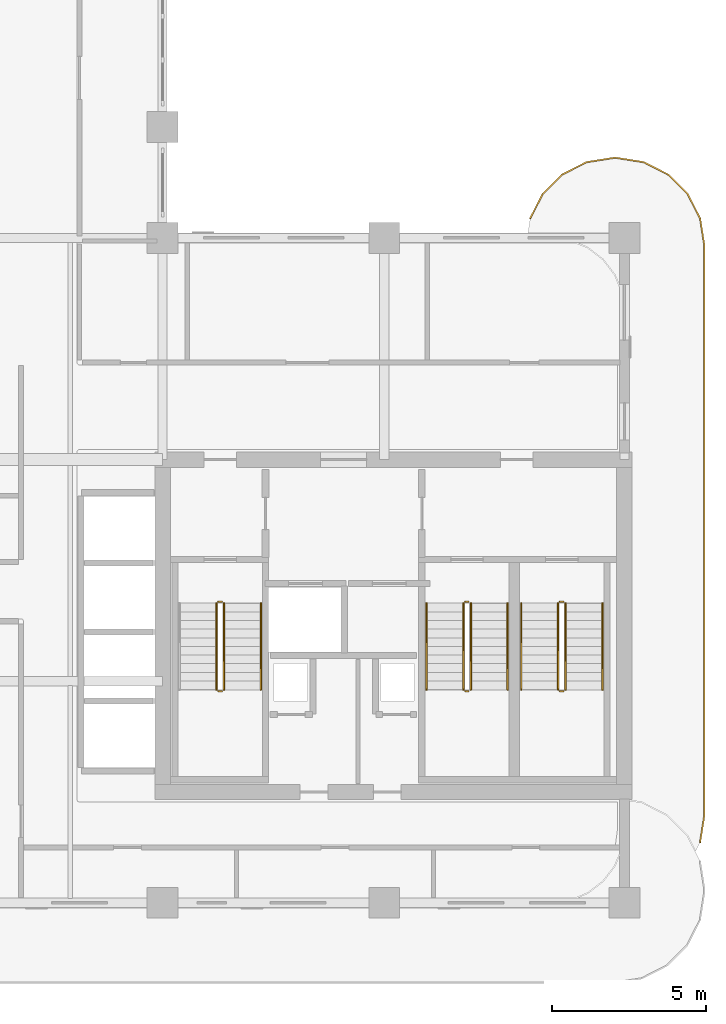
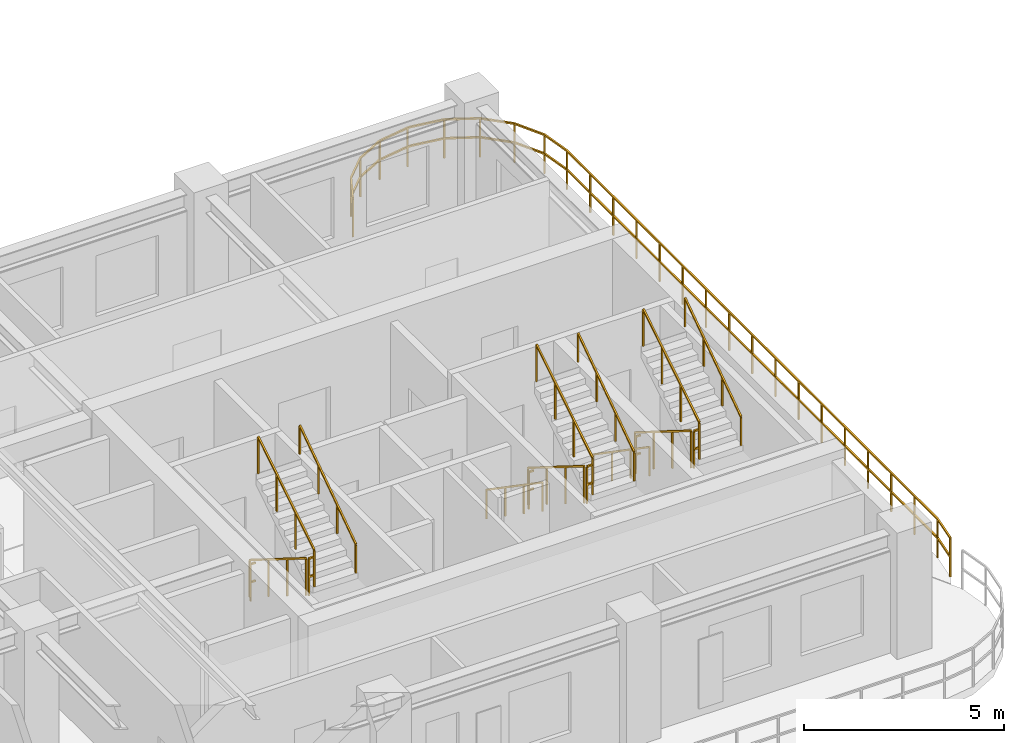
# One storey, part 19 of 20: 18 railings.
"""IFC4 building model written with IfcOpenShell, lengths in metres."""

from ifc_helpers import new_model, si_unit, derived_unit, direction, frame, origin, origin_2d, place, context, subcontext, project, spatial, rectangle, extrude, material, type_object, element, save


model = new_model("IFC4")

# Units and contexts
model_context = context("Model", 3, precision=1e-05, world=origin(), true_north=direction((0.0, 1.0)))
body_context = subcontext(model_context, "Body", "Model", "MODEL_VIEW")
ifc_project = project(units=[si_unit("LENGTHUNIT", "METRE"), si_unit("AREAUNIT", "SQUARE_METRE"), si_unit("VOLUMEUNIT", "CUBIC_METRE"), si_unit("PLANEANGLEUNIT", "RADIAN"), si_unit("MASSUNIT", "GRAM", prefix="KILO"), si_unit("THERMODYNAMICTEMPERATUREUNIT", "KELVIN"), si_unit("POWERUNIT", "WATT"), derived_unit("THERMALTRANSMITTANCEUNIT", [(si_unit("POWERUNIT", "WATT"), 1), (si_unit("AREAUNIT", "SQUARE_METRE"), -1), (si_unit("THERMODYNAMICTEMPERATUREUNIT", "KELVIN"), -1)])], contexts=[model_context])

# Site, building, storey
site_placement = place(None, origin())
site = spatial("IfcSite", under=ifc_project, at=site_placement, CompositionType="ELEMENT")
building_placement = place(site_placement, origin())
building = spatial("IfcBuilding", under=site, at=building_placement, Name="Zahravan Archway Hotel and Residences", CompositionType="ELEMENT")
storey_placement = place(building_placement, frame((0.0, 0.0, 161.85009765625)))
storey = spatial("IfcBuildingStorey", under=building, at=storey_placement, Name="L40", CompositionType="ELEMENT", Elevation=161.85009765625)

# Railings
ifc_material_1 = material(Name="Bronze & Laminated Glass Balustrade", Category="glass")
railing_type_1 = type_object("IfcRailingType", Name="RL-BAL-1200", PredefinedType="BALUSTRADE", material=ifc_material_1)
railing_1_placement = place(storey_placement, frame((46.739501953125, 22.230712890625, 0.0)))
element("IfcRailing", 1, at=railing_1_placement, inside=storey, type_object=railing_type_1, Name="L40 Balustrade RL-SLB-BAL-L40-EA-1", PredefinedType="BALUSTRADE", context=body_context, shape_type="SweptSolid", body=[
    extrude(rectangle(XDim=0.048095703125, YDim=0.048095703125, at=origin_2d()), frame((0.0, 0.0, 1.17578125), z_axis=(0.453991409995, 0.891006060389, 0.0), x_axis=(-0.891006060389, 0.453991409995, 0.0)), (0.0, 0.0, 1.0), 0.8916015625),
    extrude(rectangle(XDim=0.048095703125, YDim=0.048095703125, at=origin_2d()), frame((0.0, 0.0, 0.60009765625), z_axis=(0.453991409995, 0.891006060389, 0.0), x_axis=(-0.891006060389, 0.453991409995, 0.0)), (0.0, 0.0, 1.0), 0.8916015625),
    extrude(rectangle(XDim=0.048095703125, YDim=0.048095703125, at=origin_2d()), frame((0.40478515625, 0.79443359375, 1.17578125), z_axis=(0.707106781187, 0.707106781187, 0.0), x_axis=(-0.707106781187, 0.707106781187, 0.0)), (0.0, 0.0, 1.0), 0.891845703125),
    extrude(rectangle(XDim=0.048095703125, YDim=0.048095703125, at=origin_2d()), frame((0.40478515625, 0.79443359375, 0.60009765625), z_axis=(0.707106781187, 0.707106781187, 0.0), x_axis=(-0.707106781187, 0.707106781187, 0.0)), (0.0, 0.0, 1.0), 0.891845703125),
    extrude(rectangle(XDim=0.048095703125, YDim=0.048095703125, at=origin_2d()), frame((1.035400390625, 1.425048828125, 1.17578125), z_axis=(0.891006060389, 0.453991409995, 0.0), x_axis=(-0.453991409995, 0.891006060389, 0.0)), (0.0, 0.0, 1.0), 0.8916015625),
    extrude(rectangle(XDim=0.048095703125, YDim=0.048095703125, at=origin_2d()), frame((1.035400390625, 1.425048828125, 0.60009765625), z_axis=(0.891006060389, 0.453991409995, 0.0), x_axis=(-0.453991409995, 0.891006060389, 0.0)), (0.0, 0.0, 1.0), 0.8916015625),
    extrude(rectangle(XDim=0.048095703125, YDim=0.048095703125, at=origin_2d()), frame((1.829833984375, 1.829833984375, 1.17578125), z_axis=(0.987700720307, 0.156356282588, 0.0), x_axis=(-0.156356282588, 0.987700720307, 0.0)), (0.0, 0.0, 1.0), 0.8916015625),
    extrude(rectangle(XDim=0.048095703125, YDim=0.048095703125, at=origin_2d()), frame((1.829833984375, 1.829833984375, 0.60009765625), z_axis=(0.987700720307, 0.156356282588, 0.0), x_axis=(-0.156356282588, 0.987700720307, 0.0)), (0.0, 0.0, 1.0), 0.8916015625),
    extrude(rectangle(XDim=0.048095703125, YDim=0.048095703125, at=origin_2d()), frame((2.71044921875, 1.96923828125, 1.17578125), z_axis=(1.0, 0.0, 0.0), x_axis=(0.0, 1.0, 0.0)), (0.0, 0.0, 1.0), 0.10009765625),
    extrude(rectangle(XDim=0.048095703125, YDim=0.048095703125, at=origin_2d()), frame((2.71044921875, 1.96923828125, 0.60009765625), z_axis=(1.0, 0.0, 0.0), x_axis=(0.0, 1.0, 0.0)), (0.0, 0.0, 1.0), 0.10009765625),
    extrude(rectangle(XDim=0.048095703125, YDim=0.048095703125, at=origin_2d()), frame((2.810546875, 1.96923828125, 1.17578125), z_axis=(0.987700720307, -0.156356282588, 0.0), x_axis=(0.156356282588, 0.987700720307, 0.0)), (0.0, 0.0, 1.0), 0.8916015625),
    extrude(rectangle(XDim=0.048095703125, YDim=0.048095703125, at=origin_2d()), frame((2.810546875, 1.96923828125, 0.60009765625), z_axis=(0.987700720307, -0.156356282588, 0.0), x_axis=(0.156356282588, 0.987700720307, 0.0)), (0.0, 0.0, 1.0), 0.8916015625),
    extrude(rectangle(XDim=0.048095703125, YDim=0.048095703125, at=origin_2d()), frame((3.691162109375, 1.829833984375, 1.17578125), z_axis=(0.891006060389, -0.453991409995, 0.0), x_axis=(0.453991409995, 0.891006060389, 0.0)), (0.0, 0.0, 1.0), 0.8916015625),
    extrude(rectangle(XDim=0.048095703125, YDim=0.048095703125, at=origin_2d()), frame((3.691162109375, 1.829833984375, 0.60009765625), z_axis=(0.891006060389, -0.453991409995, 0.0), x_axis=(0.453991409995, 0.891006060389, 0.0)), (0.0, 0.0, 1.0), 0.8916015625),
    extrude(rectangle(XDim=0.048095703125, YDim=0.048095703125, at=origin_2d()), frame((4.485595703125, 1.425048828125, 1.17578125), z_axis=(0.707106781187, -0.707106781187, 0.0), x_axis=(0.707106781187, 0.707106781187, 0.0)), (0.0, 0.0, 1.0), 0.891845703125),
    extrude(rectangle(XDim=0.048095703125, YDim=0.048095703125, at=origin_2d()), frame((4.485595703125, 1.425048828125, 0.60009765625), z_axis=(0.707106781187, -0.707106781187, 0.0), x_axis=(0.707106781187, 0.707106781187, 0.0)), (0.0, 0.0, 1.0), 0.891845703125),
    extrude(rectangle(XDim=0.048095703125, YDim=0.048095703125, at=origin_2d()), frame((5.1162109375, 0.79443359375, 1.17578125), z_axis=(0.453991409995, -0.891006060389, 0.0), x_axis=(0.891006060389, 0.453991409995, 0.0)), (0.0, 0.0, 1.0), 0.8916015625),
    extrude(rectangle(XDim=0.048095703125, YDim=0.048095703125, at=origin_2d()), frame((5.1162109375, 0.79443359375, 0.60009765625), z_axis=(0.453991409995, -0.891006060389, 0.0), x_axis=(0.891006060389, 0.453991409995, 0.0)), (0.0, 0.0, 1.0), 0.8916015625),
    extrude(rectangle(XDim=0.048095703125, YDim=0.048095703125, at=origin_2d()), frame((5.52099609375, 0.0, 1.17578125), z_axis=(0.156356282588, -0.987700720307, 0.0), x_axis=(0.987700720307, 0.156356282588, 0.0)), (0.0, 0.0, 1.0), 0.8916015625),
    extrude(rectangle(XDim=0.048095703125, YDim=0.048095703125, at=origin_2d()), frame((5.52099609375, 0.0, 0.60009765625), z_axis=(0.156356282588, -0.987700720307, 0.0), x_axis=(0.987700720307, 0.156356282588, 0.0)), (0.0, 0.0, 1.0), 0.8916015625),
    extrude(rectangle(XDim=0.048095703125, YDim=0.048095703125, at=origin_2d()), frame((5.660400390625, -0.880615234375, 1.17578125), z_axis=(0.0, -1.0, 0.0), x_axis=(1.0, 0.0, 0.0)), (0.0, 0.0, 1.0), 18.5),
    extrude(rectangle(XDim=0.048095703125, YDim=0.048095703125, at=origin_2d()), frame((5.660400390625, -0.880615234375, 0.60009765625), z_axis=(0.0, -1.0, 0.0), x_axis=(1.0, 0.0, 0.0)), (0.0, 0.0, 1.0), 18.5),
    extrude(rectangle(XDim=0.048095703125, YDim=0.048095703125, at=origin_2d()), frame((5.660400390625, -19.380615234375, 1.17578125), z_axis=(-0.156314005608, -0.987707411965, 0.0), x_axis=(0.987707411965, -0.156314005608, 0.0)), (0.0, 0.0, 1.0), 0.891845703125),
    extrude(rectangle(XDim=0.048095703125, YDim=0.048095703125, at=origin_2d()), frame((5.660400390625, -19.380615234375, 0.60009765625), z_axis=(-0.156314005608, -0.987707411965, 0.0), x_axis=(0.987707411965, -0.156314005608, 0.0)), (0.0, 0.0, 1.0), 0.891845703125),
    extrude(rectangle(XDim=0.0419921875, YDim=0.0419921875, at=origin_2d()), origin(), (0.0, 0.0, 1.0), 1.15185546875),
    extrude(rectangle(XDim=0.0419921875, YDim=0.0419921875, at=origin_2d()), frame((0.40478515625, 0.79443359375, 0.0)), (0.0, 0.0, 1.0), 1.15185546875),
    extrude(rectangle(XDim=0.0419921875, YDim=0.0419921875, at=origin_2d()), frame((1.035400390625, 1.425048828125, 0.0)), (0.0, 0.0, 1.0), 1.15185546875),
    extrude(rectangle(XDim=0.0419921875, YDim=0.0419921875, at=origin_2d()), frame((1.829833984375, 1.829833984375, 0.0)), (0.0, 0.0, 1.0), 1.15185546875),
    extrude(rectangle(XDim=0.0419921875, YDim=0.0419921875, at=origin_2d()), frame((2.71044921875, 1.96923828125, 0.0)), (0.0, 0.0, 1.0), 1.15185546875),
    extrude(rectangle(XDim=0.0419921875, YDim=0.0419921875, at=origin_2d()), frame((3.691162109375, 1.829833984375, 0.0)), (0.0, 0.0, 1.0), 1.15185546875),
    extrude(rectangle(XDim=0.0419921875, YDim=0.0419921875, at=origin_2d()), frame((4.485595703125, 1.425048828125, 0.0)), (0.0, 0.0, 1.0), 1.15185546875),
    extrude(rectangle(XDim=0.0419921875, YDim=0.0419921875, at=origin_2d()), frame((5.1162109375, 0.79443359375, 0.0)), (0.0, 0.0, 1.0), 1.15185546875),
    extrude(rectangle(XDim=0.0419921875, YDim=0.0419921875, at=origin_2d()), frame((5.52099609375, 0.0, 0.0)), (0.0, 0.0, 1.0), 1.15185546875),
    extrude(rectangle(XDim=0.0419921875, YDim=0.0419921875, at=origin_2d()), frame((5.660400390625, -0.880615234375, 0.0)), (0.0, 0.0, 1.0), 1.15185546875),
    extrude(rectangle(XDim=0.0419921875, YDim=0.0419921875, at=origin_2d()), frame((5.660400390625, -2.036865234375, 0.0)), (0.0, 0.0, 1.0), 1.15185546875),
    extrude(rectangle(XDim=0.0419921875, YDim=0.0419921875, at=origin_2d()), frame((5.660400390625, -3.193115234375, 0.0)), (0.0, 0.0, 1.0), 1.15185546875),
    extrude(rectangle(XDim=0.0419921875, YDim=0.0419921875, at=origin_2d()), frame((5.660400390625, -4.349365234375, 0.0)), (0.0, 0.0, 1.0), 1.15185546875),
    extrude(rectangle(XDim=0.0419921875, YDim=0.0419921875, at=origin_2d()), frame((5.660400390625, -5.505615234375, 0.0)), (0.0, 0.0, 1.0), 1.15185546875),
    extrude(rectangle(XDim=0.0419921875, YDim=0.0419921875, at=origin_2d()), frame((5.660400390625, -6.661865234375, 0.0)), (0.0, 0.0, 1.0), 1.15185546875),
    extrude(rectangle(XDim=0.0419921875, YDim=0.0419921875, at=origin_2d()), frame((5.660400390625, -7.818115234375, 0.0)), (0.0, 0.0, 1.0), 1.15185546875),
    extrude(rectangle(XDim=0.0419921875, YDim=0.0419921875, at=origin_2d()), frame((5.660400390625, -8.974365234375, 0.0)), (0.0, 0.0, 1.0), 1.15185546875),
    extrude(rectangle(XDim=0.0419921875, YDim=0.0419921875, at=origin_2d()), frame((5.660400390625, -10.130615234375, 0.0)), (0.0, 0.0, 1.0), 1.15185546875),
    extrude(rectangle(XDim=0.0419921875, YDim=0.0419921875, at=origin_2d()), frame((5.660400390625, -11.286865234375, 0.0)), (0.0, 0.0, 1.0), 1.15185546875),
    extrude(rectangle(XDim=0.0419921875, YDim=0.0419921875, at=origin_2d()), frame((5.660400390625, -12.443115234375, 0.0)), (0.0, 0.0, 1.0), 1.15185546875),
    extrude(rectangle(XDim=0.0419921875, YDim=0.0419921875, at=origin_2d()), frame((5.660400390625, -13.599365234375, 0.0)), (0.0, 0.0, 1.0), 1.15185546875),
    extrude(rectangle(XDim=0.0419921875, YDim=0.0419921875, at=origin_2d()), frame((5.660400390625, -14.755615234375, 0.0)), (0.0, 0.0, 1.0), 1.15185546875),
    extrude(rectangle(XDim=0.0419921875, YDim=0.0419921875, at=origin_2d()), frame((5.660400390625, -15.911865234375, 0.0)), (0.0, 0.0, 1.0), 1.15185546875),
    extrude(rectangle(XDim=0.0419921875, YDim=0.0419921875, at=origin_2d()), frame((5.660400390625, -17.068115234375, 0.0)), (0.0, 0.0, 1.0), 1.15185546875),
    extrude(rectangle(XDim=0.0419921875, YDim=0.0419921875, at=origin_2d()), frame((5.660400390625, -18.224365234375, 0.0)), (0.0, 0.0, 1.0), 1.15185546875),
    extrude(rectangle(XDim=0.0419921875, YDim=0.0419921875, at=origin_2d()), frame((5.660400390625, -19.380615234375, 0.0)), (0.0, 0.0, 1.0), 1.15185546875),
    extrude(rectangle(XDim=0.0419921875, YDim=0.0419921875, at=origin_2d()), frame((5.52099609375, -20.261474609375, 0.0)), (0.0, 0.0, 1.0), 1.15185546875),
])
ifc_material_2 = material(Name="Painted Tubular Steel", Category="steel")
railing_type_2 = type_object("IfcRailingType", Name="RL-STG-1150", PredefinedType="GUARDRAIL", material=ifc_material_2)
railing_2_placement = place(storey_placement, frame((36.550048828125, 9.72998046875, 0.1748046875)))
element("IfcRailing", 2, at=railing_2_placement, inside=storey, type_object=railing_type_2, Name="L40 ST-A1 stair guard 1", PredefinedType="GUARDRAIL", context=body_context, shape_type="SweptSolid", body=[
    extrude(rectangle(XDim=0.048095703125, YDim=0.048095703125, at=origin_2d()), frame((0.0, 0.0, 1.1259765625), z_axis=(0.0, -0.848002457836, 0.529992293815), x_axis=(1.0, 0.0, 0.0)), (0.0, 0.0, 1.0), 3.302001953125),
    extrude(rectangle(XDim=0.0419921875, YDim=0.0419921875, at=origin_2d()), origin(), (0.0, 0.0, 1.0), 1.101806640625),
    extrude(rectangle(XDim=0.0419921875, YDim=0.0419921875, at=origin_2d()), frame((0.0, -0.933349609375, 0.583251953125)), (0.0, 0.0, 1.0), 1.101806640625),
    extrude(rectangle(XDim=0.0419921875, YDim=0.0419921875, at=origin_2d()), frame((0.0, -1.86669921875, 1.166748046875)), (0.0, 0.0, 1.0), 1.101806640625),
    extrude(rectangle(XDim=0.0419921875, YDim=0.0419921875, at=origin_2d()), frame((0.0, -2.800048828125, 1.75)), (0.0, 0.0, 1.0), 1.101806640625),
])
railing_3_placement = place(storey_placement, frame((36.60009765625, 6.8798828125, 1.9248046875)))
element("IfcRailing", 3, at=railing_3_placement, inside=storey, type_object=railing_type_2, Name="L40 ST-A1 stair guard 2", PredefinedType="GUARDRAIL", context=body_context, shape_type="SweptSolid", body=[
    extrude(rectangle(XDim=0.048095703125, YDim=0.048095703125, at=origin_2d()), frame((0.0, 0.0, 1.1259765625), z_axis=(1.0, 0.0, 0.0), x_axis=(0.0, 1.0, 0.0)), (0.0, 0.0, 1.0), 0.139892578125),
    extrude(rectangle(XDim=0.048095703125, YDim=0.048095703125, at=origin_2d()), frame((0.0, 0.0, 0.574951171875), z_axis=(1.0, 0.0, 0.0), x_axis=(0.0, 1.0, 0.0)), (0.0, 0.0, 1.0), 0.139892578125),
    extrude(rectangle(XDim=0.0419921875, YDim=0.0419921875, at=origin_2d()), origin(), (0.0, 0.0, 1.0), 1.101806640625),
])
railing_4_placement = place(storey_placement, frame((36.7900390625, 6.929931640625, 2.099853515625)))
element("IfcRailing", 4, at=railing_4_placement, inside=storey, type_object=railing_type_2, Name="L40 ST-A1 stair guard 3", PredefinedType="GUARDRAIL", context=body_context, shape_type="SweptSolid", body=[
    extrude(rectangle(XDim=0.048095703125, YDim=0.048095703125, at=origin_2d()), frame((0.0, 0.0, 1.1259765625), z_axis=(0.0, 0.848002457836, 0.529992293815), x_axis=(-1.0, 0.0, 0.0)), (0.0, 0.0, 1.0), 3.302001953125),
    extrude(rectangle(XDim=0.0419921875, YDim=0.0419921875, at=origin_2d()), origin(), (0.0, 0.0, 1.0), 1.101806640625),
    extrude(rectangle(XDim=0.0419921875, YDim=0.0419921875, at=origin_2d()), frame((0.0, 0.933349609375, 0.583251953125)), (0.0, 0.0, 1.0), 1.101806640625),
    extrude(rectangle(XDim=0.0419921875, YDim=0.0419921875, at=origin_2d()), frame((0.0, 1.86669921875, 1.166748046875)), (0.0, 0.0, 1.0), 1.101806640625),
    extrude(rectangle(XDim=0.0419921875, YDim=0.0419921875, at=origin_2d()), frame((0.0, 2.800048828125, 1.75)), (0.0, 0.0, 1.0), 1.101806640625),
])
railing_5_placement = place(storey_placement, frame((36.60009765625, 9.780029296875, 0.0)))
element("IfcRailing", 5, at=railing_5_placement, inside=storey, type_object=railing_type_2, Name="L40 ST-A1 stair guard 4", PredefinedType="GUARDRAIL", context=body_context, shape_type="SweptSolid", body=[
    extrude(rectangle(XDim=0.048095703125, YDim=0.048095703125, at=origin_2d()), frame((0.0, 0.0, 1.1259765625), z_axis=(1.0, 0.0, 0.0), x_axis=(0.0, 1.0, 0.0)), (0.0, 0.0, 1.0), 0.139892578125),
    extrude(rectangle(XDim=0.048095703125, YDim=0.048095703125, at=origin_2d()), frame((0.0, 0.0, 0.574951171875), z_axis=(1.0, 0.0, 0.0), x_axis=(0.0, 1.0, 0.0)), (0.0, 0.0, 1.0), 0.139892578125),
    extrude(rectangle(XDim=0.0419921875, YDim=0.0419921875, at=origin_2d()), origin(), (0.0, 0.0, 1.0), 1.101806640625),
])
railing_6_placement = place(storey_placement, frame((44.570068359375, 9.72998046875, 0.1748046875)))
element("IfcRailing", 6, at=railing_6_placement, inside=storey, type_object=railing_type_2, Name="L40 ST-A2 stair guard 1", PredefinedType="GUARDRAIL", context=body_context, shape_type="SweptSolid", body=[
    extrude(rectangle(XDim=0.048095703125, YDim=0.048095703125, at=origin_2d()), frame((0.0, 0.0, 1.1259765625), z_axis=(0.0, -0.848002457836, 0.529992293815), x_axis=(1.0, 0.0, 0.0)), (0.0, 0.0, 1.0), 3.302001953125),
    extrude(rectangle(XDim=0.0419921875, YDim=0.0419921875, at=origin_2d()), origin(), (0.0, 0.0, 1.0), 1.101806640625),
    extrude(rectangle(XDim=0.0419921875, YDim=0.0419921875, at=origin_2d()), frame((0.0, -0.933349609375, 0.583251953125)), (0.0, 0.0, 1.0), 1.101806640625),
    extrude(rectangle(XDim=0.0419921875, YDim=0.0419921875, at=origin_2d()), frame((0.0, -1.86669921875, 1.166748046875)), (0.0, 0.0, 1.0), 1.101806640625),
    extrude(rectangle(XDim=0.0419921875, YDim=0.0419921875, at=origin_2d()), frame((0.0, -2.800048828125, 1.75)), (0.0, 0.0, 1.0), 1.101806640625),
])
railing_7_placement = place(storey_placement, frame((44.6201171875, 6.8798828125, 1.9248046875)))
element("IfcRailing", 7, at=railing_7_placement, inside=storey, type_object=railing_type_2, Name="L40 ST-A2 stair guard 2", PredefinedType="GUARDRAIL", context=body_context, shape_type="SweptSolid", body=[
    extrude(rectangle(XDim=0.048095703125, YDim=0.048095703125, at=origin_2d()), frame((0.0, 0.0, 1.1259765625), z_axis=(1.0, 0.0, 0.0), x_axis=(0.0, 1.0, 0.0)), (0.0, 0.0, 1.0), 0.139892578125),
    extrude(rectangle(XDim=0.048095703125, YDim=0.048095703125, at=origin_2d()), frame((0.0, 0.0, 0.574951171875), z_axis=(1.0, 0.0, 0.0), x_axis=(0.0, 1.0, 0.0)), (0.0, 0.0, 1.0), 0.139892578125),
    extrude(rectangle(XDim=0.0419921875, YDim=0.0419921875, at=origin_2d()), origin(), (0.0, 0.0, 1.0), 1.101806640625),
])
railing_8_placement = place(storey_placement, frame((44.81005859375, 6.929931640625, 2.099853515625)))
element("IfcRailing", 8, at=railing_8_placement, inside=storey, type_object=railing_type_2, Name="L40 ST-A2 stair guard 3", PredefinedType="GUARDRAIL", context=body_context, shape_type="SweptSolid", body=[
    extrude(rectangle(XDim=0.048095703125, YDim=0.048095703125, at=origin_2d()), frame((0.0, 0.0, 1.1259765625), z_axis=(0.0, 0.848002457836, 0.529992293815), x_axis=(-1.0, 0.0, 0.0)), (0.0, 0.0, 1.0), 3.302001953125),
    extrude(rectangle(XDim=0.0419921875, YDim=0.0419921875, at=origin_2d()), origin(), (0.0, 0.0, 1.0), 1.101806640625),
    extrude(rectangle(XDim=0.0419921875, YDim=0.0419921875, at=origin_2d()), frame((0.0, 0.933349609375, 0.583251953125)), (0.0, 0.0, 1.0), 1.101806640625),
    extrude(rectangle(XDim=0.0419921875, YDim=0.0419921875, at=origin_2d()), frame((0.0, 1.86669921875, 1.166748046875)), (0.0, 0.0, 1.0), 1.101806640625),
    extrude(rectangle(XDim=0.0419921875, YDim=0.0419921875, at=origin_2d()), frame((0.0, 2.800048828125, 1.75)), (0.0, 0.0, 1.0), 1.101806640625),
])
railing_9_placement = place(storey_placement, frame((44.6201171875, 9.780029296875, 0.0)))
element("IfcRailing", 9, at=railing_9_placement, inside=storey, type_object=railing_type_2, Name="L40 ST-A2 stair guard 4", PredefinedType="GUARDRAIL", context=body_context, shape_type="SweptSolid", body=[
    extrude(rectangle(XDim=0.048095703125, YDim=0.048095703125, at=origin_2d()), frame((0.0, 0.0, 1.1259765625), z_axis=(1.0, 0.0, 0.0), x_axis=(0.0, 1.0, 0.0)), (0.0, 0.0, 1.0), 0.139892578125),
    extrude(rectangle(XDim=0.048095703125, YDim=0.048095703125, at=origin_2d()), frame((0.0, 0.0, 0.574951171875), z_axis=(1.0, 0.0, 0.0), x_axis=(0.0, 1.0, 0.0)), (0.0, 0.0, 1.0), 0.139892578125),
    extrude(rectangle(XDim=0.0419921875, YDim=0.0419921875, at=origin_2d()), origin(), (0.0, 0.0, 1.0), 1.101806640625),
])
railing_10_placement = place(storey_placement, frame((47.64990234375, 9.72998046875, 0.1748046875)))
element("IfcRailing", 10, at=railing_10_placement, inside=storey, type_object=railing_type_2, Name="L40 ST-A3 stair guard 1", PredefinedType="GUARDRAIL", context=body_context, shape_type="SweptSolid", body=[
    extrude(rectangle(XDim=0.048095703125, YDim=0.048095703125, at=origin_2d()), frame((0.0, 0.0, 1.1259765625), z_axis=(0.0, -0.848002457836, 0.529992293815), x_axis=(1.0, 0.0, 0.0)), (0.0, 0.0, 1.0), 3.302001953125),
    extrude(rectangle(XDim=0.0419921875, YDim=0.0419921875, at=origin_2d()), origin(), (0.0, 0.0, 1.0), 1.101806640625),
    extrude(rectangle(XDim=0.0419921875, YDim=0.0419921875, at=origin_2d()), frame((0.0, -0.933349609375, 0.583251953125)), (0.0, 0.0, 1.0), 1.101806640625),
    extrude(rectangle(XDim=0.0419921875, YDim=0.0419921875, at=origin_2d()), frame((0.0, -1.86669921875, 1.166748046875)), (0.0, 0.0, 1.0), 1.101806640625),
    extrude(rectangle(XDim=0.0419921875, YDim=0.0419921875, at=origin_2d()), frame((0.0, -2.800048828125, 1.75)), (0.0, 0.0, 1.0), 1.101806640625),
])
railing_11_placement = place(storey_placement, frame((47.699951171875, 6.8798828125, 1.9248046875)))
element("IfcRailing", 11, at=railing_11_placement, inside=storey, type_object=railing_type_2, Name="L40 ST-A3 stair guard 2", PredefinedType="GUARDRAIL", context=body_context, shape_type="SweptSolid", body=[
    extrude(rectangle(XDim=0.048095703125, YDim=0.048095703125, at=origin_2d()), frame((0.0, 0.0, 1.1259765625), z_axis=(1.0, 0.0, 0.0), x_axis=(0.0, 1.0, 0.0)), (0.0, 0.0, 1.0), 0.14013671875),
    extrude(rectangle(XDim=0.048095703125, YDim=0.048095703125, at=origin_2d()), frame((0.0, 0.0, 0.574951171875), z_axis=(1.0, 0.0, 0.0), x_axis=(0.0, 1.0, 0.0)), (0.0, 0.0, 1.0), 0.14013671875),
    extrude(rectangle(XDim=0.0419921875, YDim=0.0419921875, at=origin_2d()), origin(), (0.0, 0.0, 1.0), 1.101806640625),
])
railing_12_placement = place(storey_placement, frame((47.889892578125, 6.929931640625, 2.099853515625)))
element("IfcRailing", 12, at=railing_12_placement, inside=storey, type_object=railing_type_2, Name="L40 ST-A3 stair guard 3", PredefinedType="GUARDRAIL", context=body_context, shape_type="SweptSolid", body=[
    extrude(rectangle(XDim=0.048095703125, YDim=0.048095703125, at=origin_2d()), frame((0.0, 0.0, 1.1259765625), z_axis=(0.0, 0.848002457836, 0.529992293815), x_axis=(-1.0, 0.0, 0.0)), (0.0, 0.0, 1.0), 3.302001953125),
    extrude(rectangle(XDim=0.0419921875, YDim=0.0419921875, at=origin_2d()), origin(), (0.0, 0.0, 1.0), 1.101806640625),
    extrude(rectangle(XDim=0.0419921875, YDim=0.0419921875, at=origin_2d()), frame((0.0, 0.933349609375, 0.583251953125)), (0.0, 0.0, 1.0), 1.101806640625),
    extrude(rectangle(XDim=0.0419921875, YDim=0.0419921875, at=origin_2d()), frame((0.0, 1.86669921875, 1.166748046875)), (0.0, 0.0, 1.0), 1.101806640625),
    extrude(rectangle(XDim=0.0419921875, YDim=0.0419921875, at=origin_2d()), frame((0.0, 2.800048828125, 1.75)), (0.0, 0.0, 1.0), 1.101806640625),
])
railing_13_placement = place(storey_placement, frame((47.699951171875, 9.780029296875, 0.0)))
element("IfcRailing", 13, at=railing_13_placement, inside=storey, type_object=railing_type_2, Name="L40 ST-A3 stair guard 4", PredefinedType="GUARDRAIL", context=body_context, shape_type="SweptSolid", body=[
    extrude(rectangle(XDim=0.048095703125, YDim=0.048095703125, at=origin_2d()), frame((0.0, 0.0, 1.1259765625), z_axis=(1.0, 0.0, 0.0), x_axis=(0.0, 1.0, 0.0)), (0.0, 0.0, 1.0), 0.14013671875),
    extrude(rectangle(XDim=0.048095703125, YDim=0.048095703125, at=origin_2d()), frame((0.0, 0.0, 0.574951171875), z_axis=(1.0, 0.0, 0.0), x_axis=(0.0, 1.0, 0.0)), (0.0, 0.0, 1.0), 0.14013671875),
    extrude(rectangle(XDim=0.0419921875, YDim=0.0419921875, at=origin_2d()), origin(), (0.0, 0.0, 1.0), 1.101806640625),
])
ifc_material_3 = material(Name="Brushed Stainless Steel", Category="steel")
railing_type_3 = type_object("IfcRailingType", Name="RL-STH-900", PredefinedType="HANDRAIL", material=ifc_material_3)
railing_14_placement = place(storey_placement, frame((37.989990234375, 6.929931640625, 2.099853515625)))
element("IfcRailing", 14, at=railing_14_placement, inside=storey, type_object=railing_type_3, Name="L40 ST-A1 stair handrail 2", PredefinedType="HANDRAIL", context=body_context, shape_type="SweptSolid", body=[
    extrude(rectangle(XDim=0.048095703125, YDim=0.048095703125, at=origin_2d()), frame((0.0, 0.0, 0.8759765625), z_axis=(0.0, 0.824039827795, 0.566531872191), x_axis=(-1.0, 0.0, 0.0)), (0.0, 0.0, 1.0), 3.39794921875),
    extrude(rectangle(XDim=0.0419921875, YDim=0.0419921875, at=origin_2d()), origin(), (0.0, 0.0, 1.0), 0.851806640625),
    extrude(rectangle(XDim=0.0419921875, YDim=0.0419921875, at=origin_2d()), frame((0.0, 0.933349609375, 0.6416015625)), (0.0, 0.0, 1.0), 0.851806640625),
    extrude(rectangle(XDim=0.0419921875, YDim=0.0419921875, at=origin_2d()), frame((0.0, 1.86669921875, 1.283447265625)), (0.0, 0.0, 1.0), 0.851806640625),
    extrude(rectangle(XDim=0.0419921875, YDim=0.0419921875, at=origin_2d()), frame((0.0, 2.800048828125, 1.925048828125)), (0.0, 0.0, 1.0), 0.851806640625),
])
railing_15_placement = place(storey_placement, frame((43.3701171875, 9.72998046875, 0.1748046875)))
element("IfcRailing", 15, at=railing_15_placement, inside=storey, type_object=railing_type_3, Name="L40 ST-A2 stair handrail 1", PredefinedType="HANDRAIL", context=body_context, shape_type="SweptSolid", body=[
    extrude(rectangle(XDim=0.048095703125, YDim=0.048095703125, at=origin_2d()), frame((0.0, 0.0, 0.8759765625), z_axis=(0.0, -0.824039827795, 0.566531872191), x_axis=(1.0, 0.0, 0.0)), (0.0, 0.0, 1.0), 3.39794921875),
    extrude(rectangle(XDim=0.0419921875, YDim=0.0419921875, at=origin_2d()), origin(), (0.0, 0.0, 1.0), 0.851806640625),
    extrude(rectangle(XDim=0.0419921875, YDim=0.0419921875, at=origin_2d()), frame((0.0, -0.933349609375, 0.6416015625)), (0.0, 0.0, 1.0), 0.851806640625),
    extrude(rectangle(XDim=0.0419921875, YDim=0.0419921875, at=origin_2d()), frame((0.0, -1.86669921875, 1.283447265625)), (0.0, 0.0, 1.0), 0.851806640625),
    extrude(rectangle(XDim=0.0419921875, YDim=0.0419921875, at=origin_2d()), frame((0.0, -2.800048828125, 1.925048828125)), (0.0, 0.0, 1.0), 0.851806640625),
])
railing_16_placement = place(storey_placement, frame((46.010009765625, 6.929931640625, 2.099853515625)))
element("IfcRailing", 16, at=railing_16_placement, inside=storey, type_object=railing_type_3, Name="L40 ST-A2 stair handrail 2", PredefinedType="HANDRAIL", context=body_context, shape_type="SweptSolid", body=[
    extrude(rectangle(XDim=0.048095703125, YDim=0.048095703125, at=origin_2d()), frame((0.0, 0.0, 0.8759765625), z_axis=(0.0, 0.824039827795, 0.566531872191), x_axis=(-1.0, 0.0, 0.0)), (0.0, 0.0, 1.0), 3.39794921875),
    extrude(rectangle(XDim=0.0419921875, YDim=0.0419921875, at=origin_2d()), origin(), (0.0, 0.0, 1.0), 0.851806640625),
    extrude(rectangle(XDim=0.0419921875, YDim=0.0419921875, at=origin_2d()), frame((0.0, 0.933349609375, 0.6416015625)), (0.0, 0.0, 1.0), 0.851806640625),
    extrude(rectangle(XDim=0.0419921875, YDim=0.0419921875, at=origin_2d()), frame((0.0, 1.86669921875, 1.283447265625)), (0.0, 0.0, 1.0), 0.851806640625),
    extrude(rectangle(XDim=0.0419921875, YDim=0.0419921875, at=origin_2d()), frame((0.0, 2.800048828125, 1.925048828125)), (0.0, 0.0, 1.0), 0.851806640625),
])
railing_17_placement = place(storey_placement, frame((46.449951171875, 9.72998046875, 0.1748046875)))
element("IfcRailing", 17, at=railing_17_placement, inside=storey, type_object=railing_type_3, Name="L40 ST-A3 stair handrail 1", PredefinedType="HANDRAIL", context=body_context, shape_type="SweptSolid", body=[
    extrude(rectangle(XDim=0.048095703125, YDim=0.048095703125, at=origin_2d()), frame((0.0, 0.0, 0.8759765625), z_axis=(0.0, -0.824039827795, 0.566531872191), x_axis=(1.0, 0.0, 0.0)), (0.0, 0.0, 1.0), 3.39794921875),
    extrude(rectangle(XDim=0.0419921875, YDim=0.0419921875, at=origin_2d()), origin(), (0.0, 0.0, 1.0), 0.851806640625),
    extrude(rectangle(XDim=0.0419921875, YDim=0.0419921875, at=origin_2d()), frame((0.0, -0.933349609375, 0.6416015625)), (0.0, 0.0, 1.0), 0.851806640625),
    extrude(rectangle(XDim=0.0419921875, YDim=0.0419921875, at=origin_2d()), frame((0.0, -1.86669921875, 1.283447265625)), (0.0, 0.0, 1.0), 0.851806640625),
    extrude(rectangle(XDim=0.0419921875, YDim=0.0419921875, at=origin_2d()), frame((0.0, -2.800048828125, 1.925048828125)), (0.0, 0.0, 1.0), 0.851806640625),
])
railing_18_placement = place(storey_placement, frame((49.090087890625, 6.929931640625, 2.099853515625)))
element("IfcRailing", 18, at=railing_18_placement, inside=storey, type_object=railing_type_3, Name="L40 ST-A3 stair handrail 2", PredefinedType="HANDRAIL", context=body_context, shape_type="SweptSolid", body=[
    extrude(rectangle(XDim=0.048095703125, YDim=0.048095703125, at=origin_2d()), frame((0.0, 0.0, 0.8759765625), z_axis=(0.0, 0.824039827795, 0.566531872191), x_axis=(-1.0, 0.0, 0.0)), (0.0, 0.0, 1.0), 3.39794921875),
    extrude(rectangle(XDim=0.0419921875, YDim=0.0419921875, at=origin_2d()), origin(), (0.0, 0.0, 1.0), 0.851806640625),
    extrude(rectangle(XDim=0.0419921875, YDim=0.0419921875, at=origin_2d()), frame((0.0, 0.933349609375, 0.6416015625)), (0.0, 0.0, 1.0), 0.851806640625),
    extrude(rectangle(XDim=0.0419921875, YDim=0.0419921875, at=origin_2d()), frame((0.0, 1.86669921875, 1.283447265625)), (0.0, 0.0, 1.0), 0.851806640625),
    extrude(rectangle(XDim=0.0419921875, YDim=0.0419921875, at=origin_2d()), frame((0.0, 2.800048828125, 1.925048828125)), (0.0, 0.0, 1.0), 0.851806640625),
])

save(model, "model.ifc")
